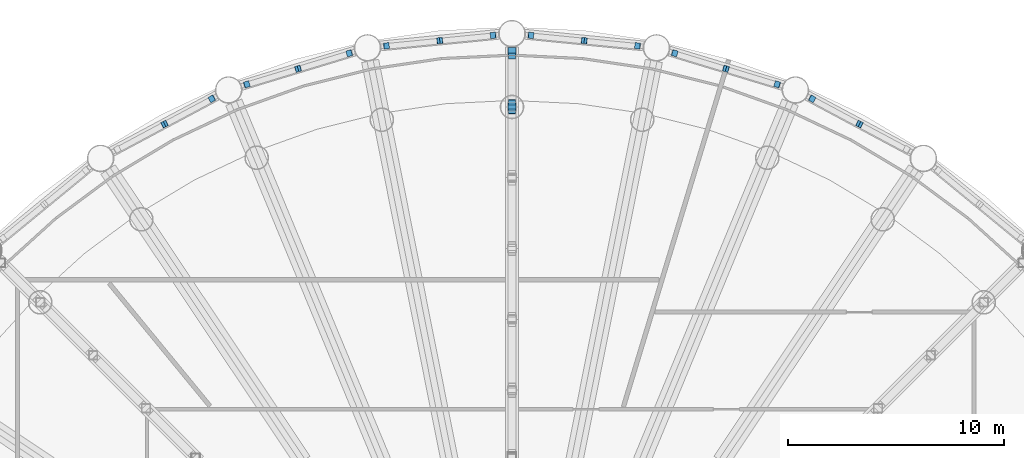
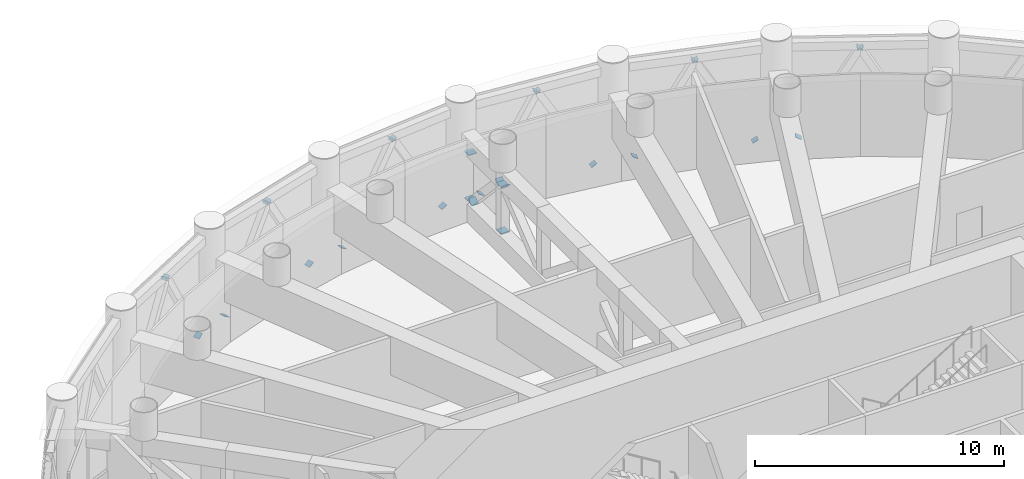
# One storey, part 21 of 29: 29 discrete accessories.
"""IFC4 building model written with IfcOpenShell, lengths in metres."""

from ifc_helpers import new_model, si_unit, direction, frame, origin, origin_2d, place, context, subcontext, project, spatial, rectangle, extrude, material, material_profile, profile_set, type_object, element, save


model = new_model("IFC4")

# Units and contexts
model_context = context("Model", 3, precision=1e-05, world=origin(), true_north=direction((0.0, 1.0)))
body_context = subcontext(model_context, "Body", "Model", "MODEL_VIEW")
ifc_project = project(units=[si_unit("LENGTHUNIT", "METRE"), si_unit("AREAUNIT", "SQUARE_METRE"), si_unit("VOLUMEUNIT", "CUBIC_METRE"), si_unit("PLANEANGLEUNIT", "RADIAN"), si_unit("MASSUNIT", "GRAM", prefix="KILO")], contexts=[model_context])

# Site, building, storey
site_placement = place(None, origin())
site = spatial("IfcSite", under=ifc_project, at=site_placement, CompositionType="ELEMENT")
building_placement = place(site_placement, origin())
building = spatial("IfcBuilding", under=site, at=building_placement, Name="Corvane Civic Tower", CompositionType="ELEMENT")
storey_placement = place(building_placement, frame((0.0, 0.0, 138.5)))
storey = spatial("IfcBuildingStorey", under=building, at=storey_placement, Name="L32", CompositionType="ELEMENT", Elevation=138.5)

# Discrete accessories
ifc_material_1 = material(Name="Steel ASTM A572 Gr 50", Category="steel")
ifc_material_profile_1 = material_profile(ifc_material_1, rectangle(XDim=0.2802734375, YDim=0.2802734375, at=origin_2d()), Name="GUSSET PLATE 25 IN HSS12X12X1/2")
ifc_profile_set_1 = profile_set([ifc_material_profile_1], Name="Steel ASTM A572 Gr 50")
discrete_accessory_type_1 = type_object("IfcDiscreteAccessoryType", Name="GUSSET PLATE 25 IN HSS12X12X1/2", PredefinedType="BRACKET", material=ifc_profile_set_1)
discrete_accessory_1_placement = place(storey_placement, frame((0.870849609375, 34.21435546875, 0.406494140625), z_axis=(0.493407705348, -0.049340770535, 0.868397561412), x_axis=(0.099503719021, 0.99503719021, 0.0)))
element("IfcDiscreteAccessory", 1, at=discrete_accessory_1_placement, inside=storey, type_object=discrete_accessory_type_1, Name="Gusset plate BD1 end A", PredefinedType="BRACKET", context=body_context, shape_type="SweptSolid", body=[
    extrude(rectangle(XDim=0.2802734375, YDim=0.2802734375, at=origin_2d()), origin(), (0.0, 0.0, 1.0), 0.024658203125),
])
discrete_accessory_2_placement = place(storey_placement, frame((3.345947265625, 33.970458984375, 4.74365234375), z_axis=(-0.496598842672, 0.048686161046, -0.866613666624), x_axis=(-0.097571424031, -0.99522852512, 0.0)))
element("IfcDiscreteAccessory", 2, at=discrete_accessory_2_placement, inside=storey, type_object=discrete_accessory_type_1, Name="Gusset plate BD1 end B", PredefinedType="BRACKET", context=body_context, shape_type="SweptSolid", body=[
    extrude(rectangle(XDim=0.2802734375, YDim=0.2802734375, at=origin_2d()), origin(), (0.0, 0.0, 1.0), 0.025146484375),
])
discrete_accessory_3_placement = place(storey_placement, frame((5.82080078125, 33.7265625, 0.406494140625), z_axis=(-0.493407705348, 0.049340770535, 0.868397561412), x_axis=(-0.099503719021, -0.99503719021, 0.0)))
element("IfcDiscreteAccessory", 3, at=discrete_accessory_3_placement, inside=storey, type_object=discrete_accessory_type_1, Name="Gusset plate BD1 end A", PredefinedType="BRACKET", context=body_context, shape_type="SweptSolid", body=[
    extrude(rectangle(XDim=0.2802734375, YDim=0.2802734375, at=origin_2d()), origin(), (0.0, 0.0, 1.0), 0.024658203125),
])
discrete_accessory_4_placement = place(storey_placement, frame((3.345947265625, 33.970458984375, 4.74365234375), z_axis=(0.489209625642, -0.048920962564, -0.870793133643), x_axis=(0.099503719021, 0.99503719021, 0.0)))
element("IfcDiscreteAccessory", 4, at=discrete_accessory_4_placement, inside=storey, type_object=discrete_accessory_type_1, Name="Gusset plate BD1 end B", PredefinedType="BRACKET", context=body_context, shape_type="SweptSolid", body=[
    extrude(rectangle(XDim=0.2802734375, YDim=0.2802734375, at=origin_2d()), origin(), (0.0, 0.0, 1.0), 0.02490234375),
])
discrete_accessory_5_placement = place(storey_placement, frame((7.529052734375, 33.386962890625, 0.406494140625), z_axis=(0.473579171394, -0.147993491061, 0.868228480888), x_axis=(0.298274993136, 0.954479978035, 0.0)))
element("IfcDiscreteAccessory", 5, at=discrete_accessory_5_placement, inside=storey, type_object=discrete_accessory_type_1, Name="Gusset plate BD1 end A", PredefinedType="BRACKET", context=body_context, shape_type="SweptSolid", body=[
    extrude(rectangle(XDim=0.2802734375, YDim=0.2802734375, at=origin_2d()), origin(), (0.0, 0.0, 1.0), 0.024658203125),
])
discrete_accessory_6_placement = place(storey_placement, frame((9.90869140625, 32.6650390625, 4.74365234375), z_axis=(-0.470204238302, 0.137142902838, -0.871837025185), x_axis=(-0.28, -0.96, 0.0)))
element("IfcDiscreteAccessory", 6, at=discrete_accessory_6_placement, inside=storey, type_object=discrete_accessory_type_1, Name="Gusset plate BD1 end B", PredefinedType="BRACKET", context=body_context, shape_type="SweptSolid", body=[
    extrude(rectangle(XDim=0.2802734375, YDim=0.2802734375, at=origin_2d()), origin(), (0.0, 0.0, 1.0), 0.02490234375),
])
discrete_accessory_7_placement = place(storey_placement, frame((12.28857421875, 31.94287109375, 0.406494140625), z_axis=(-0.473579171394, 0.147993491061, 0.868228480888), x_axis=(-0.298274993136, -0.954479978035, 0.0)))
element("IfcDiscreteAccessory", 7, at=discrete_accessory_7_placement, inside=storey, type_object=discrete_accessory_type_1, Name="Gusset plate BD1 end A", PredefinedType="BRACKET", context=body_context, shape_type="SweptSolid", body=[
    extrude(rectangle(XDim=0.2802734375, YDim=0.2802734375, at=origin_2d()), origin(), (0.0, 0.0, 1.0), 0.024658203125),
])
discrete_accessory_8_placement = place(storey_placement, frame((9.90869140625, 32.6650390625, 4.74365234375), z_axis=(0.477124378254, -0.146058483139, -0.866613666624), x_axis=(0.292714272094, 0.956199955507, 0.0)))
element("IfcDiscreteAccessory", 8, at=discrete_accessory_8_placement, inside=storey, type_object=discrete_accessory_type_1, Name="Gusset plate BD1 end B", PredefinedType="BRACKET", context=body_context, shape_type="SweptSolid", body=[
    extrude(rectangle(XDim=0.2802734375, YDim=0.2802734375, at=origin_2d()), origin(), (0.0, 0.0, 1.0), 0.025146484375),
])
discrete_accessory_9_placement = place(storey_placement, frame((13.897705078125, 31.276611328125, 0.406494140625), z_axis=(0.442432749188, -0.2359641329, 0.865201820635), x_axis=(0.470588235294, 0.882352941176, 0.0)))
element("IfcDiscreteAccessory", 9, at=discrete_accessory_9_placement, inside=storey, type_object=discrete_accessory_type_1, Name="Gusset plate BD1 end A", PredefinedType="BRACKET", context=body_context, shape_type="SweptSolid", body=[
    extrude(rectangle(XDim=0.2802734375, YDim=0.2802734375, at=origin_2d()), origin(), (0.0, 0.0, 1.0), 0.02490234375),
])
for number, where, z_axis, x_axis, name in (
    (10, (16.091064453125, 30.104248046875, 4.74365234375), (-0.438695687352, 0.233971033255, -0.867642581652), (-0.470588235294, -0.882352941176, 0.0), "Gusset plate BD1 end B"),
    (11, (16.091064453125, 30.104248046875, 4.74365234375), (0.438695687352, -0.233971033255, -0.867642581652), (0.470588235294, 0.882352941176, 0.0), "Gusset plate BD1 end B"),
    (12, (-16.091064453125, 30.104248046875, 4.74365234375), (-0.438695687352, -0.233971033255, -0.867642581652), (0.470588235294, -0.882352941176, 0.0), "Gusset plate BD1 end B"),
):
    element("IfcDiscreteAccessory", number, at=place(storey_placement, frame(where, z_axis=z_axis, x_axis=x_axis)), inside=storey, type_object=discrete_accessory_type_1, Name=name, PredefinedType="BRACKET", context=body_context, shape_type="SweptSolid", body=[
        extrude(rectangle(XDim=0.2802734375, YDim=0.2802734375, at=origin_2d()), origin(), (0.0, 0.0, 1.0), 0.025146484375),
    ])
discrete_accessory_10_placement = place(storey_placement, frame((-13.897705078125, 31.276611328125, 0.406494140625), z_axis=(-0.442432749188, -0.2359641329, 0.865201820635), x_axis=(0.470588235294, -0.882352941176, 0.0)))
element("IfcDiscreteAccessory", 13, at=discrete_accessory_10_placement, inside=storey, type_object=discrete_accessory_type_1, Name="Gusset plate BD1 end A", PredefinedType="BRACKET", context=body_context, shape_type="SweptSolid", body=[
    extrude(rectangle(XDim=0.2802734375, YDim=0.2802734375, at=origin_2d()), origin(), (0.0, 0.0, 1.0), 0.02490234375),
])
discrete_accessory_11_placement = place(storey_placement, frame((-16.091064453125, 30.104248046875, 4.74365234375), z_axis=(0.438695687352, 0.233971033255, -0.867642581652), x_axis=(-0.470588235294, 0.882352941176, 0.0)))
element("IfcDiscreteAccessory", 14, at=discrete_accessory_11_placement, inside=storey, type_object=discrete_accessory_type_1, Name="Gusset plate BD1 end B", PredefinedType="BRACKET", context=body_context, shape_type="SweptSolid", body=[
    extrude(rectangle(XDim=0.2802734375, YDim=0.2802734375, at=origin_2d()), origin(), (0.0, 0.0, 1.0), 0.025146484375),
])
discrete_accessory_12_placement = place(storey_placement, frame((-12.28857421875, 31.94287109375, 0.406494140625), z_axis=(0.473579171394, 0.147993491061, 0.868228480888), x_axis=(-0.298274993136, 0.954479978035, 0.0)))
element("IfcDiscreteAccessory", 15, at=discrete_accessory_12_placement, inside=storey, type_object=discrete_accessory_type_1, Name="Gusset plate BD1 end A", PredefinedType="BRACKET", context=body_context, shape_type="SweptSolid", body=[
    extrude(rectangle(XDim=0.2802734375, YDim=0.2802734375, at=origin_2d()), origin(), (0.0, 0.0, 1.0), 0.024658203125),
])
discrete_accessory_13_placement = place(storey_placement, frame((-9.90869140625, 32.6650390625, 4.74365234375), z_axis=(-0.477124378254, -0.146058483139, -0.866613666624), x_axis=(0.292714272094, -0.956199955507, 0.0)))
element("IfcDiscreteAccessory", 16, at=discrete_accessory_13_placement, inside=storey, type_object=discrete_accessory_type_1, Name="Gusset plate BD1 end B", PredefinedType="BRACKET", context=body_context, shape_type="SweptSolid", body=[
    extrude(rectangle(XDim=0.2802734375, YDim=0.2802734375, at=origin_2d()), origin(), (0.0, 0.0, 1.0), 0.025146484375),
])
discrete_accessory_14_placement = place(storey_placement, frame((-7.529052734375, 33.386962890625, 0.406494140625), z_axis=(-0.473579171394, -0.147993491061, 0.868228480888), x_axis=(0.298274993136, -0.954479978035, 0.0)))
element("IfcDiscreteAccessory", 17, at=discrete_accessory_14_placement, inside=storey, type_object=discrete_accessory_type_1, Name="Gusset plate BD1 end A", PredefinedType="BRACKET", context=body_context, shape_type="SweptSolid", body=[
    extrude(rectangle(XDim=0.2802734375, YDim=0.2802734375, at=origin_2d()), origin(), (0.0, 0.0, 1.0), 0.024658203125),
])
discrete_accessory_15_placement = place(storey_placement, frame((-9.90869140625, 32.6650390625, 4.74365234375), z_axis=(0.470204238302, 0.137142902838, -0.871837025185), x_axis=(-0.28, 0.96, 0.0)))
element("IfcDiscreteAccessory", 18, at=discrete_accessory_15_placement, inside=storey, type_object=discrete_accessory_type_1, Name="Gusset plate BD1 end B", PredefinedType="BRACKET", context=body_context, shape_type="SweptSolid", body=[
    extrude(rectangle(XDim=0.2802734375, YDim=0.2802734375, at=origin_2d()), origin(), (0.0, 0.0, 1.0), 0.02490234375),
])
discrete_accessory_16_placement = place(storey_placement, frame((-5.82080078125, 33.7265625, 0.406494140625), z_axis=(0.493407705348, 0.049340770535, 0.868397561412), x_axis=(-0.099503719021, 0.99503719021, 0.0)))
element("IfcDiscreteAccessory", 19, at=discrete_accessory_16_placement, inside=storey, type_object=discrete_accessory_type_1, Name="Gusset plate BD1 end A", PredefinedType="BRACKET", context=body_context, shape_type="SweptSolid", body=[
    extrude(rectangle(XDim=0.2802734375, YDim=0.2802734375, at=origin_2d()), origin(), (0.0, 0.0, 1.0), 0.024658203125),
])
discrete_accessory_17_placement = place(storey_placement, frame((-3.345947265625, 33.970458984375, 4.74365234375), z_axis=(-0.489209625642, -0.048920962564, -0.870793133643), x_axis=(0.099503719021, -0.99503719021, 0.0)))
element("IfcDiscreteAccessory", 20, at=discrete_accessory_17_placement, inside=storey, type_object=discrete_accessory_type_1, Name="Gusset plate BD1 end B", PredefinedType="BRACKET", context=body_context, shape_type="SweptSolid", body=[
    extrude(rectangle(XDim=0.2802734375, YDim=0.2802734375, at=origin_2d()), origin(), (0.0, 0.0, 1.0), 0.02490234375),
])
discrete_accessory_18_placement = place(storey_placement, frame((-0.870849609375, 34.21435546875, 0.406494140625), z_axis=(-0.493407705348, -0.049340770535, 0.868397561412), x_axis=(0.099503719021, -0.99503719021, 0.0)))
element("IfcDiscreteAccessory", 21, at=discrete_accessory_18_placement, inside=storey, type_object=discrete_accessory_type_1, Name="Gusset plate BD1 end A", PredefinedType="BRACKET", context=body_context, shape_type="SweptSolid", body=[
    extrude(rectangle(XDim=0.2802734375, YDim=0.2802734375, at=origin_2d()), origin(), (0.0, 0.0, 1.0), 0.024658203125),
])
discrete_accessory_19_placement = place(storey_placement, frame((-3.345947265625, 33.970458984375, 4.74365234375), z_axis=(0.496598842672, 0.048686161046, -0.866613666624), x_axis=(-0.097571424031, 0.99522852512, 0.0)))
element("IfcDiscreteAccessory", 22, at=discrete_accessory_19_placement, inside=storey, type_object=discrete_accessory_type_1, Name="Gusset plate BD1 end B", PredefinedType="BRACKET", context=body_context, shape_type="SweptSolid", body=[
    extrude(rectangle(XDim=0.2802734375, YDim=0.2802734375, at=origin_2d()), origin(), (0.0, 0.0, 1.0), 0.025146484375),
])
ifc_material_2 = material(Name="Steel ASTM A572 Gr 50", Category="steel")
ifc_material_profile_2 = material_profile(ifc_material_2, rectangle(XDim=0.3310546875, YDim=0.3310546875, at=origin_2d()), Name="GUSSET PLATE 25 IN HSS14X14X1/2")
ifc_profile_set_2 = profile_set([ifc_material_profile_2], Name="Steel ASTM A572 Gr 50")
discrete_accessory_type_2 = type_object("IfcDiscreteAccessoryType", Name="GUSSET PLATE 25 IN HSS14X14X1/2", PredefinedType="BRACKET", material=ifc_profile_set_2)
for number, where, z_axis, x_axis, name in (
    (23, (0.0, 30.69677734375, 3.199951171875), (0.0, -0.780868809443, -0.624695047554), (1.0, 0.0, 0.0), "Gusset plate OD1 end B"),
    (24, (0.0, 31.103271484375, 3.199951171875), (0.0, 0.687199853876, -0.726468416955), (-1.0, 0.0, 0.0), "Gusset plate OD1 end A"),
):
    element("IfcDiscreteAccessory", number, at=place(storey_placement, frame(where, z_axis=z_axis, x_axis=x_axis)), inside=storey, type_object=discrete_accessory_type_2, Name=name, PredefinedType="BRACKET", context=body_context, shape_type="SweptSolid", body=[
        extrude(rectangle(XDim=0.3310546875, YDim=0.3310546875, at=origin_2d()), origin(), (0.0, 0.0, 1.0), 0.02490234375),
    ])
discrete_accessory_20_placement = place(storey_placement, frame((0.0, 33.2685546875, 0.89990234375), z_axis=(0.0, -0.68231825036, 0.731055268243), x_axis=(1.0, 0.0, 0.0)))
element("IfcDiscreteAccessory", 25, at=discrete_accessory_20_placement, inside=storey, type_object=discrete_accessory_type_2, Name="Gusset plate OD1 end B", PredefinedType="BRACKET", context=body_context, shape_type="SweptSolid", body=[
    extrude(rectangle(XDim=0.3310546875, YDim=0.3310546875, at=origin_2d()), origin(), (0.0, 0.0, 1.0), 0.025146484375),
])
ifc_material_3 = material(Name="Steel ASTM A572 Gr 50", Category="steel")
ifc_material_profile_3 = material_profile(ifc_material_3, rectangle(XDim=0.3759765625, YDim=0.3759765625, at=origin_2d()), Name="GUSSET PLATE 25 IN HSS16X16X5/8")
ifc_profile_set_3 = profile_set([ifc_material_profile_3], Name="Steel ASTM A572 Gr 50")
discrete_accessory_type_3 = type_object("IfcDiscreteAccessoryType", Name="GUSSET PLATE 25 IN HSS16X16X5/8", PredefinedType="BRACKET", material=ifc_profile_set_3)
discrete_accessory_21_placement = place(storey_placement, frame((0.0, 30.89990234375, 0.89990234375), z_axis=(0.0, 0.0, 1.0), x_axis=(1.0, 0.0, 0.0)))
element("IfcDiscreteAccessory", 26, at=discrete_accessory_21_placement, inside=storey, type_object=discrete_accessory_type_3, Name="Gusset plate OP1 end A", PredefinedType="BRACKET", context=body_context, shape_type="SweptSolid", body=[
    extrude(rectangle(XDim=0.3759765625, YDim=0.3759765625, at=origin_2d()), origin(), (0.0, 0.0, 1.0), 0.025146484375),
])
discrete_accessory_22_placement = place(storey_placement, frame((0.0, 30.89990234375, 3.199951171875), z_axis=(0.0, 0.0, -1.0), x_axis=(1.0, 0.0, 0.0)))
element("IfcDiscreteAccessory", 27, at=discrete_accessory_22_placement, inside=storey, type_object=discrete_accessory_type_3, Name="Gusset plate OP1 end B", PredefinedType="BRACKET", context=body_context, shape_type="SweptSolid", body=[
    extrude(rectangle(XDim=0.3759765625, YDim=0.3759765625, at=origin_2d()), origin(), (0.0, 0.0, 1.0), 0.02490234375),
])
discrete_accessory_23_placement = place(storey_placement, frame((0.0, 33.4716796875, 0.89990234375), z_axis=(0.0, 0.0, 1.0), x_axis=(1.0, 0.0, 0.0)))
element("IfcDiscreteAccessory", 28, at=discrete_accessory_23_placement, inside=storey, type_object=discrete_accessory_type_3, Name="Gusset plate OP1 end A", PredefinedType="BRACKET", context=body_context, shape_type="SweptSolid", body=[
    extrude(rectangle(XDim=0.3759765625, YDim=0.3759765625, at=origin_2d()), origin(), (0.0, 0.0, 1.0), 0.025146484375),
])
discrete_accessory_24_placement = place(storey_placement, frame((0.0, 33.4716796875, 3.199951171875), z_axis=(0.0, 0.0, -1.0), x_axis=(1.0, 0.0, 0.0)))
element("IfcDiscreteAccessory", 29, at=discrete_accessory_24_placement, inside=storey, type_object=discrete_accessory_type_3, Name="Gusset plate OP1 end B", PredefinedType="BRACKET", context=body_context, shape_type="SweptSolid", body=[
    extrude(rectangle(XDim=0.3759765625, YDim=0.3759765625, at=origin_2d()), origin(), (0.0, 0.0, 1.0), 0.02490234375),
])

save(model, "model.ifc")
